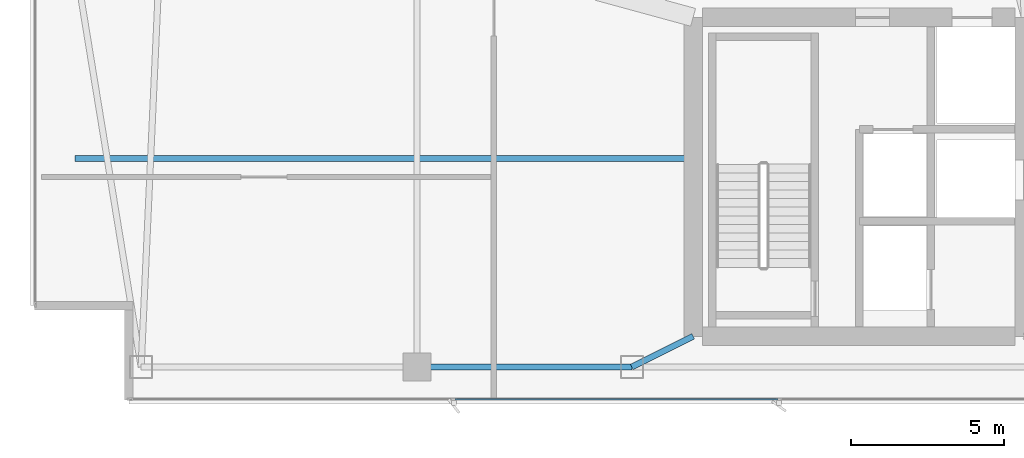
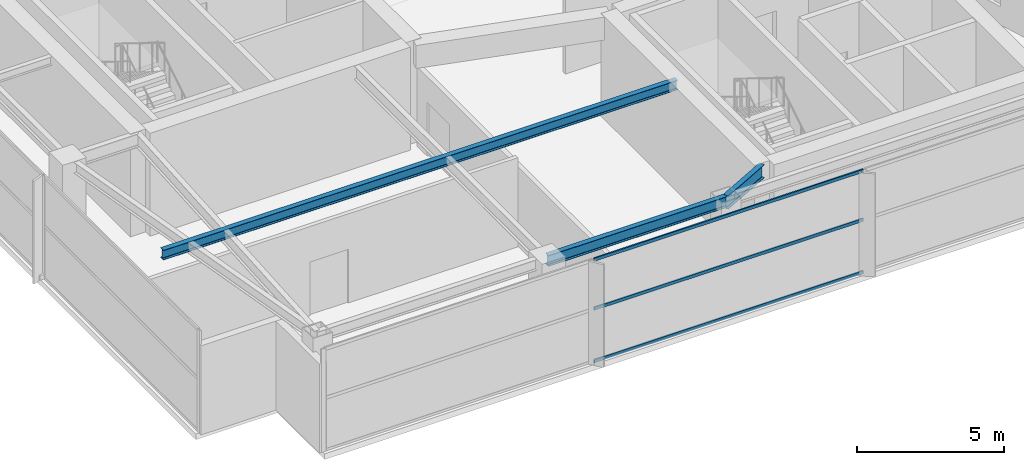
# One storey, part 6 of 25: 3 beams, 3 members, 1 element without a shape of its own.
"""IFC4 building model written with IfcOpenShell, lengths in metres."""

from ifc_helpers import new_model, si_unit, direction, frame, origin, origin_2d, place, context, subcontext, project, spatial, hollow_rectangle, i_section, extrude, material, layer, layer_set, material_profile, profile_set, type_object, element, aggregate, save


model = new_model("IFC4")

# Units and contexts
model_context = context("Model", 3, precision=1e-05, world=origin(), true_north=direction((0.0, 1.0)))
body_context = subcontext(model_context, "Body", "Model", "MODEL_VIEW")
ifc_project = project(units=[si_unit("LENGTHUNIT", "METRE"), si_unit("AREAUNIT", "SQUARE_METRE"), si_unit("VOLUMEUNIT", "CUBIC_METRE"), si_unit("PLANEANGLEUNIT", "RADIAN"), si_unit("MASSUNIT", "GRAM", prefix="KILO")], contexts=[model_context])

# Site, building, storey
site_placement = place(None, origin())
site = spatial("IfcSite", under=ifc_project, at=site_placement, CompositionType="ELEMENT")
building_placement = place(site_placement, origin())
building = spatial("IfcBuilding", under=site, at=building_placement, Name="Calvorn Quay Hotel", CompositionType="ELEMENT")
storey_placement = place(building_placement, frame((0.0, 0.0, 311.5)))
storey = spatial("IfcBuildingStorey", under=building, at=storey_placement, Name="L77", CompositionType="ELEMENT", Elevation=311.5)

# Beams
ifc_material_1 = material(Name="Steel Q355B", Category="steel")
ifc_material_profile_1 = material_profile(ifc_material_1, i_section(OverallWidth=0.199951171875, OverallDepth=0.550048828125, WebThickness=0.010009765625, FlangeThickness=0.01611328125, FilletRadius=0.01806640625, at=origin_2d()), Name="HN550x200x10x16")
ifc_profile_set_1 = profile_set([ifc_material_profile_1], Name="Steel Q355B")
beam_type_1 = type_object("IfcBeamType", Name="BM-GIRD-UPP", PredefinedType="BEAM", material=ifc_profile_set_1)
beam_1_placement = place(storey_placement, frame((19.60009765625, 3.60009765625, 3.965087890625), z_axis=(0.894427191, 0.4472135955, 0.0), x_axis=(-0.4472135955, 0.894427191, 0.0)))
element("IfcBeam", 1, at=beam_1_placement, inside=storey, type_object=beam_type_1, Name="Beam BG-L77-S2", PredefinedType="BEAM", context=body_context, shape_type="SweptSolid", body=[
    extrude(i_section(OverallWidth=0.199951171875, OverallDepth=0.550048828125, WebThickness=0.010009765625, FlangeThickness=0.01611328125, FilletRadius=0.01806640625, at=origin_2d()), origin(), (0.0, 0.0, 1.0), 2.236083984375),
])
ifc_material_2 = material(Name="Steel Q355B", Category="steel")
ifc_material_profile_2 = material_profile(ifc_material_2, i_section(OverallWidth=0.199951171875, OverallDepth=0.39990234375, WebThickness=0.008056640625, FlangeThickness=0.012939453125, FilletRadius=0.01611328125, at=origin_2d()), Name="HN400x200x8x13")
ifc_profile_set_2 = profile_set([ifc_material_profile_2], Name="Steel Q355B")
beam_type_2 = type_object("IfcBeamType", Name="BM-JOIST-TYP", PredefinedType="JOIST", material=ifc_profile_set_2)
beam_2_placement = place(storey_placement, frame((1.449951171875, 10.39990234375, 4.0400390625), z_axis=(1.0, 0.0, 0.0), x_axis=(0.0, 1.0, 0.0)))
element("IfcBeam", 2, at=beam_2_placement, inside=storey, type_object=beam_type_2, Name="Beam BJ-L77-W1", PredefinedType="JOIST", context=body_context, shape_type="SweptSolid", body=[
    extrude(i_section(OverallWidth=0.199951171875, OverallDepth=0.39990234375, WebThickness=0.008056640625, FlangeThickness=0.012939453125, FilletRadius=0.01611328125, at=origin_2d()), origin(), (0.0, 0.0, 1.0), 20.150146484375),
])
ifc_material_3 = material(Name="Steel Q355B", Category="steel")
ifc_material_profile_3 = material_profile(ifc_material_3, i_section(OverallWidth=0.199951171875, OverallDepth=0.449951171875, WebThickness=0.009033203125, FlangeThickness=0.013916015625, FilletRadius=0.01611328125, at=origin_2d()), Name="HN450x200x9x14")
ifc_profile_set_3 = profile_set([ifc_material_profile_3], Name="Steel Q355B")
beam_type_3 = type_object("IfcBeamType", Name="BM-SPANDREL-Z3", PredefinedType="SPANDREL", material=ifc_profile_set_3)
beam_3_placement = place(storey_placement, frame((12.60009765625, 3.60009765625, 4.014892578125), z_axis=(1.0, 0.0, 0.0), x_axis=(0.0, 1.0, 0.0)))
element("IfcBeam", 3, at=beam_3_placement, inside=storey, type_object=beam_type_3, Name="Beam BSP-L77-S2", PredefinedType="SPANDREL", context=body_context, shape_type="SweptSolid", body=[
    extrude(i_section(OverallWidth=0.199951171875, OverallDepth=0.449951171875, WebThickness=0.009033203125, FlangeThickness=0.013916015625, FilletRadius=0.01611328125, at=origin_2d()), origin(), (0.0, 0.0, 1.0), 7.0),
])

# Curtain wall, members
ifc_material_4 = material(Name="Champagne Bronze Anodised Aluminium and Low-E Glass", Category="aluminium")
ifc_layer = layer(ifc_material_4, 0.219970703125)
ifc_layer_set = layer_set([ifc_layer], Name="CW-SYS-Z4")
curtain_wall_type = type_object("IfcCurtainWallType", Name="CW-SYS-Z4", PredefinedType="NOTDEFINED", material=ifc_layer_set)
curtain_wall_placement = place(storey_placement, origin())
curtain_wall = element("IfcCurtainWall", 4, at=curtain_wall_placement, inside=storey, type_object=curtain_wall_type, Name="Tower South Waterfront Curtain Wall (L77)", PredefinedType="NOTDEFINED")
ifc_material_5 = material(Name="Champagne Bronze Anodised Aluminium 6063-T6", Category="aluminium")
ifc_material_profile_4 = material_profile(ifc_material_5, hollow_rectangle(XDim=0.054931640625, YDim=0.1298828125, WallThickness=0.003173828125, at=origin_2d()), Name="ALU-T130x55x3.2")
ifc_profile_set_4 = profile_set([ifc_material_profile_4], Name="Champagne Bronze Anodised Aluminium 6063-T6")
member_type = type_object("IfcMemberType", Name="CW-SYS-Z4-TRN", PredefinedType="USERDEFINED", material=ifc_profile_set_4)
member_1_placement = place(storey_placement, frame((13.830078125, 2.550048828125, 0.030029296875), z_axis=(1.0, 0.0, 0.0), x_axis=(0.0, 1.0, 0.0)))
member_1 = element("IfcMember", 5, at=member_1_placement, type_object=member_type, Name="CW-L77-S transom 2.1", ObjectType="TRANSOM", PredefinedType="USERDEFINED", context=body_context, shape_type="SweptSolid", body=[
    extrude(hollow_rectangle(XDim=0.054931640625, YDim=0.1298828125, WallThickness=0.003173828125, at=origin_2d()), origin(), (0.0, 0.0, 1.0), 10.5400390625),
])
member_2_placement = place(storey_placement, frame((13.830078125, 2.550048828125, 2.199951171875), z_axis=(1.0, 0.0, 0.0), x_axis=(0.0, 1.0, 0.0)))
member_2 = element("IfcMember", 6, at=member_2_placement, type_object=member_type, Name="CW-L77-S transom 2.2", ObjectType="TRANSOM", PredefinedType="USERDEFINED", context=body_context, shape_type="SweptSolid", body=[
    extrude(hollow_rectangle(XDim=0.054931640625, YDim=0.1298828125, WallThickness=0.003173828125, at=origin_2d()), origin(), (0.0, 0.0, 1.0), 10.5400390625),
])
member_3_placement = place(storey_placement, frame((13.830078125, 2.550048828125, 4.22998046875), z_axis=(1.0, 0.0, 0.0), x_axis=(0.0, 1.0, 0.0)))
member_3 = element("IfcMember", 7, at=member_3_placement, type_object=member_type, Name="CW-L77-S transom 2.3", ObjectType="TRANSOM", PredefinedType="USERDEFINED", context=body_context, shape_type="SweptSolid", body=[
    extrude(hollow_rectangle(XDim=0.054931640625, YDim=0.1298828125, WallThickness=0.003173828125, at=origin_2d()), origin(), (0.0, 0.0, 1.0), 10.5400390625),
])
aggregate(curtain_wall, [member_1, member_2, member_3])

save(model, "model.ifc")
